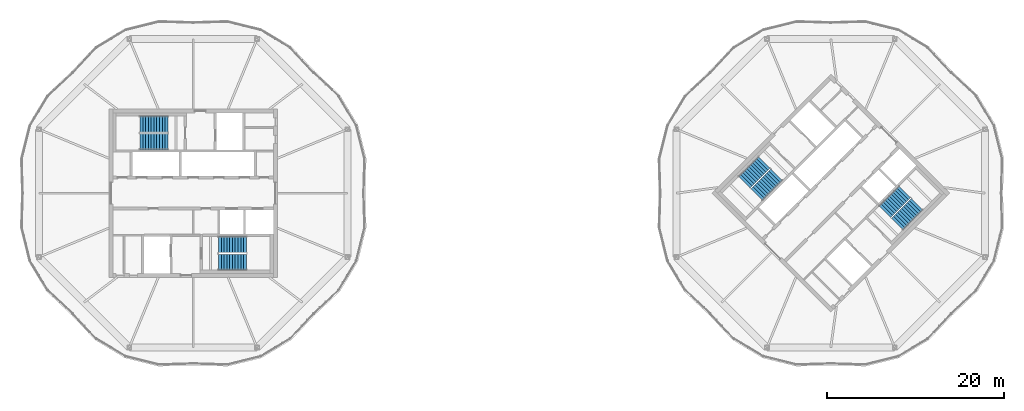
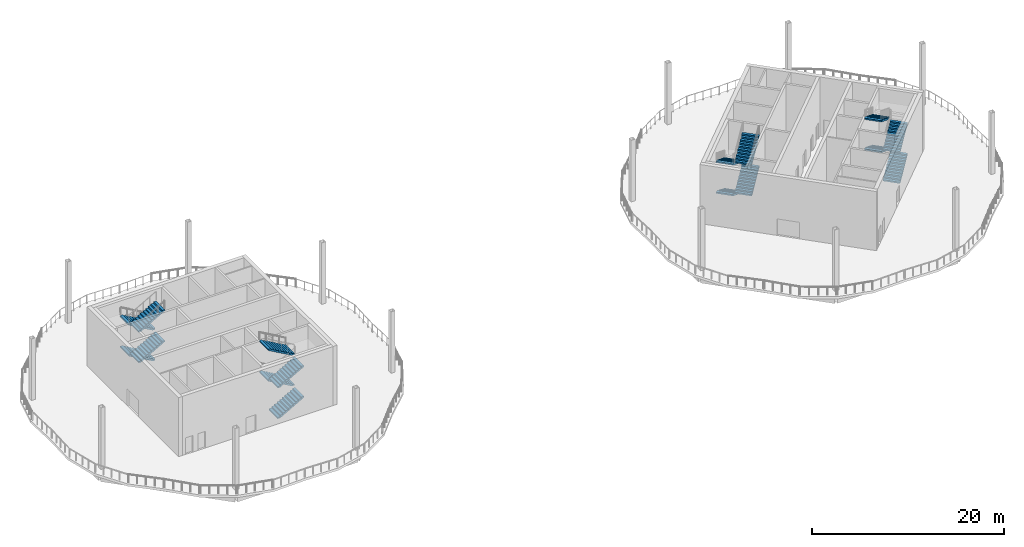
# One storey, part 8 of 12: 16 stair flights, 4 elements without a shape of their own.
"""IFC4 building model written with IfcOpenShell, lengths in metres."""

from ifc_helpers import new_model, si_unit, direction, frame, origin, place, context, subcontext, project, spatial, polyline, outline, extrude, material, type_object, element, aggregate, save


model = new_model("IFC4")

# Units and contexts
model_context = context("Model", 3, precision=1e-05, world=origin(), true_north=direction((0.0, 1.0)))
body_context = subcontext(model_context, "Body", "Model", "MODEL_VIEW")
ifc_project = project(units=[si_unit("LENGTHUNIT", "METRE"), si_unit("AREAUNIT", "SQUARE_METRE"), si_unit("VOLUMEUNIT", "CUBIC_METRE"), si_unit("PLANEANGLEUNIT", "RADIAN"), si_unit("MASSUNIT", "GRAM", prefix="KILO")], contexts=[model_context])

# Site, building, storey
site_placement = place(None, origin())
site = spatial("IfcSite", under=ifc_project, at=site_placement, CompositionType="ELEMENT")
building_placement = place(site_placement, origin())
building = spatial("IfcBuilding", under=site, at=building_placement, Name="Ogive Gate Towers", CompositionType="ELEMENT")
storey_placement = place(building_placement, frame((0.0, 0.0, 248.39990234375)))
storey = spatial("IfcBuildingStorey", under=building, at=storey_placement, Name="L59", CompositionType="ELEMENT", Elevation=248.39990234375)

# Stair, stair flights
ifc_material = material(Name="Concrete C40/50", Category="concrete")
stair_type = type_object("IfcStairType", Name="Escape stair 1840 wide", PredefinedType="HALF_TURN_STAIR", material=ifc_material)
stair_1_placement = place(storey_placement, origin())
stair_1 = element("IfcStair", 1, at=stair_1_placement, inside=storey, type_object=stair_type, Name="L59 Escape stair 1", PredefinedType="HALF_TURN_STAIR")
stair_flight_type = type_object("IfcStairFlightType", Name="Stair flight 1840 wide", PredefinedType="STRAIGHT", material=ifc_material)
stair_flight_1_placement = place(storey_placement, frame((-38.864990234375, 7.780029296875, 0.0), z_axis=(0.0, 0.0, 1.0), x_axis=(-1.0, 0.0, 0.0)))
stair_flight_1 = element("IfcStairFlight", 2, at=stair_flight_1_placement, type_object=stair_flight_type, Name="ST1 flight 1", NumberOfRisers=11, NumberOfTreads=10, PredefinedType="STRAIGHT", RiserHeight=0.177272727, TreadLength=0.313636364, context=body_context, shape_type="SweptSolid", body=[
    extrude(outline(polyline([(0.0, 0.0), (0.0, 0.17724609375), (0.313720703125, 0.17724609375), (0.313720703125, 0.3544921875), (0.627197265625, 0.3544921875), (0.627197265625, 0.53173828125), (0.94091796875, 0.53173828125), (0.94091796875, 0.708984375), (1.254638671875, 0.708984375), (1.254638671875, 0.886474609375), (1.568115234375, 0.886474609375), (1.568115234375, 1.063720703125), (1.8818359375, 1.063720703125), (1.8818359375, 1.240966796875), (2.195556640625, 1.240966796875), (2.195556640625, 1.418212890625), (2.509033203125, 1.418212890625), (2.509033203125, 1.595458984375), (2.82275390625, 1.595458984375), (2.82275390625, 1.772705078125), (3.136474609375, 1.772705078125), (3.136474609375, 1.949951171875), (3.136474609375, 1.6005859375), (0.3046875, 0.0), (0.0, 0.0)])), frame((0.0, 0.919921875, 0.0), z_axis=(0.0, -1.0, 0.0), x_axis=(1.0, 0.0, 0.0)), (0.0, 0.0, 1.0), 1.840087890625),
])
stair_flight_2_placement = place(storey_placement, frame((-42.00146484375, 5.794921875, 1.9501953125), z_axis=(0.0, 0.0, 1.0), x_axis=(1.0, 0.0, 0.0)))
stair_flight_2 = element("IfcStairFlight", 3, at=stair_flight_2_placement, type_object=stair_flight_type, Name="ST1 flight 2", NumberOfRisers=11, NumberOfTreads=10, PredefinedType="STRAIGHT", RiserHeight=0.177272727, TreadLength=0.313636364, context=body_context, shape_type="SweptSolid", body=[
    extrude(outline(polyline([(0.0, 0.0), (0.0, 0.17724609375), (0.313720703125, 0.17724609375), (0.313720703125, 0.3544921875), (0.627197265625, 0.3544921875), (0.627197265625, 0.53173828125), (0.94091796875, 0.53173828125), (0.94091796875, 0.708984375), (1.254638671875, 0.708984375), (1.254638671875, 0.886474609375), (1.568115234375, 0.886474609375), (1.568115234375, 1.063720703125), (1.8818359375, 1.063720703125), (1.8818359375, 1.240966796875), (2.195556640625, 1.240966796875), (2.195556640625, 1.418212890625), (2.509033203125, 1.418212890625), (2.509033203125, 1.595458984375), (2.82275390625, 1.595458984375), (2.82275390625, 1.772705078125), (3.136474609375, 1.772705078125), (3.136474609375, 1.949951171875), (3.136474609375, 1.6005859375), (0.3046875, 0.0), (0.0, 0.0)])), frame((0.0, 0.919921875, 0.0), z_axis=(0.0, -1.0, 0.0), x_axis=(1.0, 0.0, 0.0)), (0.0, 0.0, 1.0), 1.840087890625),
])
stair_flight_3_placement = place(storey_placement, frame((-38.864990234375, 7.780029296875, 3.900146484375), z_axis=(0.0, 0.0, 1.0), x_axis=(-1.0, 0.0, 0.0)))
stair_flight_3 = element("IfcStairFlight", 4, at=stair_flight_3_placement, type_object=stair_flight_type, Name="ST1 flight 3", NumberOfRisers=11, NumberOfTreads=10, PredefinedType="STRAIGHT", RiserHeight=0.177272727, TreadLength=0.313636364, context=body_context, shape_type="SweptSolid", body=[
    extrude(outline(polyline([(0.0, 0.0), (0.0, 0.17724609375), (0.313720703125, 0.17724609375), (0.313720703125, 0.3544921875), (0.627197265625, 0.3544921875), (0.627197265625, 0.53173828125), (0.94091796875, 0.53173828125), (0.94091796875, 0.708984375), (1.254638671875, 0.708984375), (1.254638671875, 0.886474609375), (1.568115234375, 0.886474609375), (1.568115234375, 1.063720703125), (1.8818359375, 1.063720703125), (1.8818359375, 1.240966796875), (2.195556640625, 1.240966796875), (2.195556640625, 1.418212890625), (2.509033203125, 1.418212890625), (2.509033203125, 1.595458984375), (2.82275390625, 1.595458984375), (2.82275390625, 1.772705078125), (3.136474609375, 1.772705078125), (3.136474609375, 1.949951171875), (3.136474609375, 1.6005859375), (0.3046875, 0.0), (0.0, 0.0)])), frame((0.0, 0.919921875, 0.0), z_axis=(0.0, -1.0, 0.0), x_axis=(1.0, 0.0, 0.0)), (0.0, 0.0, 1.0), 1.840087890625),
])
stair_flight_4_placement = place(storey_placement, frame((-42.00146484375, 5.794921875, 5.85009765625), z_axis=(0.0, 0.0, 1.0), x_axis=(1.0, 0.0, 0.0)))
stair_flight_4 = element("IfcStairFlight", 5, at=stair_flight_4_placement, type_object=stair_flight_type, Name="ST1 flight 4", NumberOfRisers=11, NumberOfTreads=10, PredefinedType="STRAIGHT", RiserHeight=0.177272727, TreadLength=0.313636364, context=body_context, shape_type="SweptSolid", body=[
    extrude(outline(polyline([(0.0, 0.0), (0.0, 0.17724609375), (0.313720703125, 0.17724609375), (0.313720703125, 0.3544921875), (0.627197265625, 0.3544921875), (0.627197265625, 0.53173828125), (0.94091796875, 0.53173828125), (0.94091796875, 0.708984375), (1.254638671875, 0.708984375), (1.254638671875, 0.886474609375), (1.568115234375, 0.886474609375), (1.568115234375, 1.063720703125), (1.8818359375, 1.063720703125), (1.8818359375, 1.240966796875), (2.195556640625, 1.240966796875), (2.195556640625, 1.418212890625), (2.509033203125, 1.418212890625), (2.509033203125, 1.595458984375), (2.82275390625, 1.595458984375), (2.82275390625, 1.772705078125), (3.136474609375, 1.772705078125), (3.136474609375, 1.949951171875), (3.136474609375, 1.6005859375), (0.3046875, 0.0), (0.0, 0.0)])), frame((0.0, 0.919921875, 0.0), z_axis=(0.0, -1.0, 0.0), x_axis=(1.0, 0.0, 0.0)), (0.0, 0.0, 1.0), 1.840087890625),
])
aggregate(stair_1, [stair_flight_1, stair_flight_2, stair_flight_3, stair_flight_4])

stair_2_placement = place(storey_placement, origin())
stair_2 = element("IfcStair", 6, at=stair_2_placement, inside=storey, type_object=stair_type, Name="L59 Escape stair 2", PredefinedType="HALF_TURN_STAIR")
stair_flight_5_placement = place(storey_placement, frame((-33.135009765625, -7.780029296875, 0.0), z_axis=(0.0, 0.0, 1.0), x_axis=(1.0, 0.0, 0.0)))
stair_flight_5 = element("IfcStairFlight", 7, at=stair_flight_5_placement, type_object=stair_flight_type, Name="ST2 flight 1", NumberOfRisers=11, NumberOfTreads=10, PredefinedType="STRAIGHT", RiserHeight=0.177272727, TreadLength=0.313636364, context=body_context, shape_type="SweptSolid", body=[
    extrude(outline(polyline([(0.0, 0.0), (0.0, 0.17724609375), (0.313720703125, 0.17724609375), (0.313720703125, 0.3544921875), (0.627197265625, 0.3544921875), (0.627197265625, 0.53173828125), (0.94091796875, 0.53173828125), (0.94091796875, 0.708984375), (1.254638671875, 0.708984375), (1.254638671875, 0.886474609375), (1.568115234375, 0.886474609375), (1.568115234375, 1.063720703125), (1.8818359375, 1.063720703125), (1.8818359375, 1.240966796875), (2.195556640625, 1.240966796875), (2.195556640625, 1.418212890625), (2.509033203125, 1.418212890625), (2.509033203125, 1.595458984375), (2.82275390625, 1.595458984375), (2.82275390625, 1.772705078125), (3.136474609375, 1.772705078125), (3.136474609375, 1.949951171875), (3.136474609375, 1.6005859375), (0.3046875, 0.0), (0.0, 0.0)])), frame((0.0, 0.919921875, 0.0), z_axis=(0.0, -1.0, 0.0), x_axis=(1.0, 0.0, 0.0)), (0.0, 0.0, 1.0), 1.840087890625),
])
stair_flight_6_placement = place(storey_placement, frame((-29.99853515625, -5.794921875, 1.9501953125), z_axis=(0.0, 0.0, 1.0), x_axis=(-1.0, 0.0, 0.0)))
stair_flight_6 = element("IfcStairFlight", 8, at=stair_flight_6_placement, type_object=stair_flight_type, Name="ST2 flight 2", NumberOfRisers=11, NumberOfTreads=10, PredefinedType="STRAIGHT", RiserHeight=0.177272727, TreadLength=0.313636364, context=body_context, shape_type="SweptSolid", body=[
    extrude(outline(polyline([(0.0, 0.0), (0.0, 0.17724609375), (0.313720703125, 0.17724609375), (0.313720703125, 0.3544921875), (0.627197265625, 0.3544921875), (0.627197265625, 0.53173828125), (0.94091796875, 0.53173828125), (0.94091796875, 0.708984375), (1.254638671875, 0.708984375), (1.254638671875, 0.886474609375), (1.568115234375, 0.886474609375), (1.568115234375, 1.063720703125), (1.8818359375, 1.063720703125), (1.8818359375, 1.240966796875), (2.195556640625, 1.240966796875), (2.195556640625, 1.418212890625), (2.509033203125, 1.418212890625), (2.509033203125, 1.595458984375), (2.82275390625, 1.595458984375), (2.82275390625, 1.772705078125), (3.136474609375, 1.772705078125), (3.136474609375, 1.949951171875), (3.136474609375, 1.6005859375), (0.3046875, 0.0), (0.0, 0.0)])), frame((0.0, 0.919921875, 0.0), z_axis=(0.0, -1.0, 0.0), x_axis=(1.0, 0.0, 0.0)), (0.0, 0.0, 1.0), 1.840087890625),
])
stair_flight_7_placement = place(storey_placement, frame((-33.135009765625, -7.780029296875, 3.900146484375), z_axis=(0.0, 0.0, 1.0), x_axis=(1.0, 0.0, 0.0)))
stair_flight_7 = element("IfcStairFlight", 9, at=stair_flight_7_placement, type_object=stair_flight_type, Name="ST2 flight 3", NumberOfRisers=11, NumberOfTreads=10, PredefinedType="STRAIGHT", RiserHeight=0.177272727, TreadLength=0.313636364, context=body_context, shape_type="SweptSolid", body=[
    extrude(outline(polyline([(0.0, 0.0), (0.0, 0.17724609375), (0.313720703125, 0.17724609375), (0.313720703125, 0.3544921875), (0.627197265625, 0.3544921875), (0.627197265625, 0.53173828125), (0.94091796875, 0.53173828125), (0.94091796875, 0.708984375), (1.254638671875, 0.708984375), (1.254638671875, 0.886474609375), (1.568115234375, 0.886474609375), (1.568115234375, 1.063720703125), (1.8818359375, 1.063720703125), (1.8818359375, 1.240966796875), (2.195556640625, 1.240966796875), (2.195556640625, 1.418212890625), (2.509033203125, 1.418212890625), (2.509033203125, 1.595458984375), (2.82275390625, 1.595458984375), (2.82275390625, 1.772705078125), (3.136474609375, 1.772705078125), (3.136474609375, 1.949951171875), (3.136474609375, 1.6005859375), (0.3046875, 0.0), (0.0, 0.0)])), frame((0.0, 0.919921875, 0.0), z_axis=(0.0, -1.0, 0.0), x_axis=(1.0, 0.0, 0.0)), (0.0, 0.0, 1.0), 1.840087890625),
])
stair_flight_8_placement = place(storey_placement, frame((-29.99853515625, -5.794921875, 5.85009765625), z_axis=(0.0, 0.0, 1.0), x_axis=(-1.0, 0.0, 0.0)))
stair_flight_8 = element("IfcStairFlight", 10, at=stair_flight_8_placement, type_object=stair_flight_type, Name="ST2 flight 4", NumberOfRisers=11, NumberOfTreads=10, PredefinedType="STRAIGHT", RiserHeight=0.177272727, TreadLength=0.313636364, context=body_context, shape_type="SweptSolid", body=[
    extrude(outline(polyline([(0.0, 0.0), (0.0, 0.17724609375), (0.313720703125, 0.17724609375), (0.313720703125, 0.3544921875), (0.627197265625, 0.3544921875), (0.627197265625, 0.53173828125), (0.94091796875, 0.53173828125), (0.94091796875, 0.708984375), (1.254638671875, 0.708984375), (1.254638671875, 0.886474609375), (1.568115234375, 0.886474609375), (1.568115234375, 1.063720703125), (1.8818359375, 1.063720703125), (1.8818359375, 1.240966796875), (2.195556640625, 1.240966796875), (2.195556640625, 1.418212890625), (2.509033203125, 1.418212890625), (2.509033203125, 1.595458984375), (2.82275390625, 1.595458984375), (2.82275390625, 1.772705078125), (3.136474609375, 1.772705078125), (3.136474609375, 1.949951171875), (3.136474609375, 1.6005859375), (0.3046875, 0.0), (0.0, 0.0)])), frame((0.0, 0.919921875, 0.0), z_axis=(0.0, -1.0, 0.0), x_axis=(1.0, 0.0, 0.0)), (0.0, 0.0, 1.0), 1.840087890625),
])
aggregate(stair_2, [stair_flight_5, stair_flight_6, stair_flight_7, stair_flight_8])

stair_3_placement = place(storey_placement, origin())
stair_3 = element("IfcStair", 11, at=stair_3_placement, inside=storey, type_object=stair_type, Name="L59 Escape stair 1", PredefinedType="HALF_TURN_STAIR")
stair_flight_9_placement = place(storey_placement, frame((28.472900390625, 3.475341796875, 0.0), z_axis=(0.0, 0.0, 1.0), x_axis=(-0.707106781187, -0.707106781187, 0.0)))
stair_flight_9 = element("IfcStairFlight", 12, at=stair_flight_9_placement, type_object=stair_flight_type, Name="ST1 flight 1", NumberOfRisers=11, NumberOfTreads=10, PredefinedType="STRAIGHT", RiserHeight=0.177272727, TreadLength=0.313636364, context=body_context, shape_type="SweptSolid", body=[
    extrude(outline(polyline([(0.0, 0.0), (0.0, 0.17724609375), (0.313720703125, 0.17724609375), (0.313720703125, 0.3544921875), (0.627197265625, 0.3544921875), (0.627197265625, 0.53173828125), (0.94091796875, 0.53173828125), (0.94091796875, 0.708984375), (1.254638671875, 0.708984375), (1.254638671875, 0.886474609375), (1.568115234375, 0.886474609375), (1.568115234375, 1.063720703125), (1.8818359375, 1.063720703125), (1.8818359375, 1.240966796875), (2.195556640625, 1.240966796875), (2.195556640625, 1.418212890625), (2.509033203125, 1.418212890625), (2.509033203125, 1.595458984375), (2.82275390625, 1.595458984375), (2.82275390625, 1.772705078125), (3.136474609375, 1.772705078125), (3.136474609375, 1.949951171875), (3.136474609375, 1.6005859375), (0.3046875, 0.0), (0.0, 0.0)])), frame((0.0, 0.919921875, 0.0), z_axis=(0.0, -1.0, 0.0), x_axis=(1.0, 0.0, 0.0)), (0.0, 0.0, 1.0), 1.840087890625),
])
stair_flight_10_placement = place(storey_placement, frame((27.65869140625, -0.14599609375, 1.9501953125), z_axis=(0.0, 0.0, 1.0), x_axis=(0.707106781187, 0.707106781187, 0.0)))
stair_flight_10 = element("IfcStairFlight", 13, at=stair_flight_10_placement, type_object=stair_flight_type, Name="ST1 flight 2", NumberOfRisers=11, NumberOfTreads=10, PredefinedType="STRAIGHT", RiserHeight=0.177272727, TreadLength=0.313636364, context=body_context, shape_type="SweptSolid", body=[
    extrude(outline(polyline([(0.0, 0.0), (0.0, 0.17724609375), (0.313720703125, 0.17724609375), (0.313720703125, 0.3544921875), (0.627197265625, 0.3544921875), (0.627197265625, 0.53173828125), (0.94091796875, 0.53173828125), (0.94091796875, 0.708984375), (1.254638671875, 0.708984375), (1.254638671875, 0.886474609375), (1.568115234375, 0.886474609375), (1.568115234375, 1.063720703125), (1.8818359375, 1.063720703125), (1.8818359375, 1.240966796875), (2.195556640625, 1.240966796875), (2.195556640625, 1.418212890625), (2.509033203125, 1.418212890625), (2.509033203125, 1.595458984375), (2.82275390625, 1.595458984375), (2.82275390625, 1.772705078125), (3.136474609375, 1.772705078125), (3.136474609375, 1.949951171875), (3.136474609375, 1.6005859375), (0.3046875, 0.0), (0.0, 0.0)])), frame((0.0, 0.919921875, 0.0), z_axis=(0.0, -1.0, 0.0), x_axis=(1.0, 0.0, 0.0)), (0.0, 0.0, 1.0), 1.840087890625),
])
stair_flight_11_placement = place(storey_placement, frame((28.472900390625, 3.475341796875, 3.900146484375), z_axis=(0.0, 0.0, 1.0), x_axis=(-0.707106781187, -0.707106781187, 0.0)))
stair_flight_11 = element("IfcStairFlight", 14, at=stair_flight_11_placement, type_object=stair_flight_type, Name="ST1 flight 3", NumberOfRisers=11, NumberOfTreads=10, PredefinedType="STRAIGHT", RiserHeight=0.177272727, TreadLength=0.313636364, context=body_context, shape_type="SweptSolid", body=[
    extrude(outline(polyline([(0.0, 0.0), (0.0, 0.17724609375), (0.313720703125, 0.17724609375), (0.313720703125, 0.3544921875), (0.627197265625, 0.3544921875), (0.627197265625, 0.53173828125), (0.94091796875, 0.53173828125), (0.94091796875, 0.708984375), (1.254638671875, 0.708984375), (1.254638671875, 0.886474609375), (1.568115234375, 0.886474609375), (1.568115234375, 1.063720703125), (1.8818359375, 1.063720703125), (1.8818359375, 1.240966796875), (2.195556640625, 1.240966796875), (2.195556640625, 1.418212890625), (2.509033203125, 1.418212890625), (2.509033203125, 1.595458984375), (2.82275390625, 1.595458984375), (2.82275390625, 1.772705078125), (3.136474609375, 1.772705078125), (3.136474609375, 1.949951171875), (3.136474609375, 1.6005859375), (0.3046875, 0.0), (0.0, 0.0)])), frame((0.0, 0.919921875, 0.0), z_axis=(0.0, -1.0, 0.0), x_axis=(1.0, 0.0, 0.0)), (0.0, 0.0, 1.0), 1.840087890625),
])
stair_flight_12_placement = place(storey_placement, frame((27.65869140625, -0.14599609375, 5.85009765625), z_axis=(0.0, 0.0, 1.0), x_axis=(0.707106781187, 0.707106781187, 0.0)))
stair_flight_12 = element("IfcStairFlight", 15, at=stair_flight_12_placement, type_object=stair_flight_type, Name="ST1 flight 4", NumberOfRisers=11, NumberOfTreads=10, PredefinedType="STRAIGHT", RiserHeight=0.177272727, TreadLength=0.313636364, context=body_context, shape_type="SweptSolid", body=[
    extrude(outline(polyline([(0.0, 0.0), (0.0, 0.17724609375), (0.313720703125, 0.17724609375), (0.313720703125, 0.3544921875), (0.627197265625, 0.3544921875), (0.627197265625, 0.53173828125), (0.94091796875, 0.53173828125), (0.94091796875, 0.708984375), (1.254638671875, 0.708984375), (1.254638671875, 0.886474609375), (1.568115234375, 0.886474609375), (1.568115234375, 1.063720703125), (1.8818359375, 1.063720703125), (1.8818359375, 1.240966796875), (2.195556640625, 1.240966796875), (2.195556640625, 1.418212890625), (2.509033203125, 1.418212890625), (2.509033203125, 1.595458984375), (2.82275390625, 1.595458984375), (2.82275390625, 1.772705078125), (3.136474609375, 1.772705078125), (3.136474609375, 1.949951171875), (3.136474609375, 1.6005859375), (0.3046875, 0.0), (0.0, 0.0)])), frame((0.0, 0.919921875, 0.0), z_axis=(0.0, -1.0, 0.0), x_axis=(1.0, 0.0, 0.0)), (0.0, 0.0, 1.0), 1.840087890625),
])
aggregate(stair_3, [stair_flight_9, stair_flight_10, stair_flight_11, stair_flight_12])

stair_4_placement = place(storey_placement, origin())
stair_4 = element("IfcStair", 16, at=stair_4_placement, inside=storey, type_object=stair_type, Name="L59 Escape stair 2", PredefinedType="HALF_TURN_STAIR")
stair_flight_13_placement = place(storey_placement, frame((43.527099609375, -3.475341796875, 0.0), z_axis=(0.0, 0.0, 1.0), x_axis=(0.707106781187, 0.707106781187, 0.0)))
stair_flight_13 = element("IfcStairFlight", 17, at=stair_flight_13_placement, type_object=stair_flight_type, Name="ST2 flight 1", NumberOfRisers=11, NumberOfTreads=10, PredefinedType="STRAIGHT", RiserHeight=0.177272727, TreadLength=0.313636364, context=body_context, shape_type="SweptSolid", body=[
    extrude(outline(polyline([(0.0, 0.0), (0.0, 0.17724609375), (0.313720703125, 0.17724609375), (0.313720703125, 0.3544921875), (0.627197265625, 0.3544921875), (0.627197265625, 0.53173828125), (0.94091796875, 0.53173828125), (0.94091796875, 0.708984375), (1.254638671875, 0.708984375), (1.254638671875, 0.886474609375), (1.568115234375, 0.886474609375), (1.568115234375, 1.063720703125), (1.8818359375, 1.063720703125), (1.8818359375, 1.240966796875), (2.195556640625, 1.240966796875), (2.195556640625, 1.418212890625), (2.509033203125, 1.418212890625), (2.509033203125, 1.595458984375), (2.82275390625, 1.595458984375), (2.82275390625, 1.772705078125), (3.136474609375, 1.772705078125), (3.136474609375, 1.949951171875), (3.136474609375, 1.6005859375), (0.3046875, 0.0), (0.0, 0.0)])), frame((0.0, 0.919921875, 0.0), z_axis=(0.0, -1.0, 0.0), x_axis=(1.0, 0.0, 0.0)), (0.0, 0.0, 1.0), 1.840087890625),
])
stair_flight_14_placement = place(storey_placement, frame((44.34130859375, 0.14599609375, 1.9501953125), z_axis=(0.0, 0.0, 1.0), x_axis=(-0.707106781187, -0.707106781187, 0.0)))
stair_flight_14 = element("IfcStairFlight", 18, at=stair_flight_14_placement, type_object=stair_flight_type, Name="ST2 flight 2", NumberOfRisers=11, NumberOfTreads=10, PredefinedType="STRAIGHT", RiserHeight=0.177272727, TreadLength=0.313636364, context=body_context, shape_type="SweptSolid", body=[
    extrude(outline(polyline([(0.0, 0.0), (0.0, 0.17724609375), (0.313720703125, 0.17724609375), (0.313720703125, 0.3544921875), (0.627197265625, 0.3544921875), (0.627197265625, 0.53173828125), (0.94091796875, 0.53173828125), (0.94091796875, 0.708984375), (1.254638671875, 0.708984375), (1.254638671875, 0.886474609375), (1.568115234375, 0.886474609375), (1.568115234375, 1.063720703125), (1.8818359375, 1.063720703125), (1.8818359375, 1.240966796875), (2.195556640625, 1.240966796875), (2.195556640625, 1.418212890625), (2.509033203125, 1.418212890625), (2.509033203125, 1.595458984375), (2.82275390625, 1.595458984375), (2.82275390625, 1.772705078125), (3.136474609375, 1.772705078125), (3.136474609375, 1.949951171875), (3.136474609375, 1.6005859375), (0.3046875, 0.0), (0.0, 0.0)])), frame((0.0, 0.919921875, 0.0), z_axis=(0.0, -1.0, 0.0), x_axis=(1.0, 0.0, 0.0)), (0.0, 0.0, 1.0), 1.840087890625),
])
stair_flight_15_placement = place(storey_placement, frame((43.527099609375, -3.475341796875, 3.900146484375), z_axis=(0.0, 0.0, 1.0), x_axis=(0.707106781187, 0.707106781187, 0.0)))
stair_flight_15 = element("IfcStairFlight", 19, at=stair_flight_15_placement, type_object=stair_flight_type, Name="ST2 flight 3", NumberOfRisers=11, NumberOfTreads=10, PredefinedType="STRAIGHT", RiserHeight=0.177272727, TreadLength=0.313636364, context=body_context, shape_type="SweptSolid", body=[
    extrude(outline(polyline([(0.0, 0.0), (0.0, 0.17724609375), (0.313720703125, 0.17724609375), (0.313720703125, 0.3544921875), (0.627197265625, 0.3544921875), (0.627197265625, 0.53173828125), (0.94091796875, 0.53173828125), (0.94091796875, 0.708984375), (1.254638671875, 0.708984375), (1.254638671875, 0.886474609375), (1.568115234375, 0.886474609375), (1.568115234375, 1.063720703125), (1.8818359375, 1.063720703125), (1.8818359375, 1.240966796875), (2.195556640625, 1.240966796875), (2.195556640625, 1.418212890625), (2.509033203125, 1.418212890625), (2.509033203125, 1.595458984375), (2.82275390625, 1.595458984375), (2.82275390625, 1.772705078125), (3.136474609375, 1.772705078125), (3.136474609375, 1.949951171875), (3.136474609375, 1.6005859375), (0.3046875, 0.0), (0.0, 0.0)])), frame((0.0, 0.919921875, 0.0), z_axis=(0.0, -1.0, 0.0), x_axis=(1.0, 0.0, 0.0)), (0.0, 0.0, 1.0), 1.840087890625),
])
stair_flight_16_placement = place(storey_placement, frame((44.34130859375, 0.14599609375, 5.85009765625), z_axis=(0.0, 0.0, 1.0), x_axis=(-0.707106781187, -0.707106781187, 0.0)))
stair_flight_16 = element("IfcStairFlight", 20, at=stair_flight_16_placement, type_object=stair_flight_type, Name="ST2 flight 4", NumberOfRisers=11, NumberOfTreads=10, PredefinedType="STRAIGHT", RiserHeight=0.177272727, TreadLength=0.313636364, context=body_context, shape_type="SweptSolid", body=[
    extrude(outline(polyline([(0.0, 0.0), (0.0, 0.17724609375), (0.313720703125, 0.17724609375), (0.313720703125, 0.3544921875), (0.627197265625, 0.3544921875), (0.627197265625, 0.53173828125), (0.94091796875, 0.53173828125), (0.94091796875, 0.708984375), (1.254638671875, 0.708984375), (1.254638671875, 0.886474609375), (1.568115234375, 0.886474609375), (1.568115234375, 1.063720703125), (1.8818359375, 1.063720703125), (1.8818359375, 1.240966796875), (2.195556640625, 1.240966796875), (2.195556640625, 1.418212890625), (2.509033203125, 1.418212890625), (2.509033203125, 1.595458984375), (2.82275390625, 1.595458984375), (2.82275390625, 1.772705078125), (3.136474609375, 1.772705078125), (3.136474609375, 1.949951171875), (3.136474609375, 1.6005859375), (0.3046875, 0.0), (0.0, 0.0)])), frame((0.0, 0.919921875, 0.0), z_axis=(0.0, -1.0, 0.0), x_axis=(1.0, 0.0, 0.0)), (0.0, 0.0, 1.0), 1.840087890625),
])
aggregate(stair_4, [stair_flight_13, stair_flight_14, stair_flight_15, stair_flight_16])

save(model, "model.ifc")
